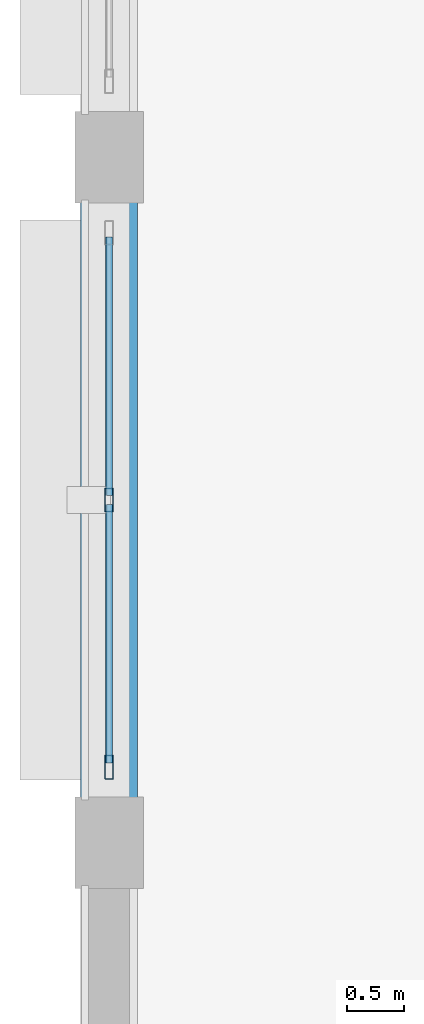
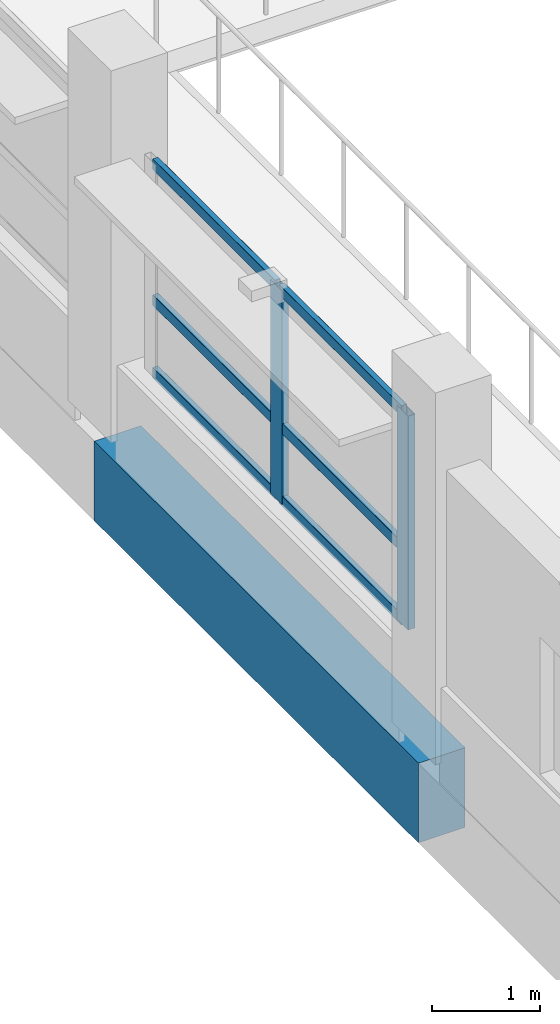
# One storey, part 19 of 128: 8 members, 1 beam, 1 element without a shape of its own.
"""IFC4 building model written with IfcOpenShell, lengths in metres."""

from ifc_helpers import new_model, si_unit, direction, frame, origin, origin_2d, place, context, subcontext, project, spatial, rectangle, hollow_rectangle, extrude, material, layer, layer_set, material_profile, profile_set, type_object, element, aggregate, save


model = new_model("IFC4")

# Units and contexts
model_context = context("Model", 3, precision=1e-05, world=origin(), true_north=direction((0.0, 1.0)))
body_context = subcontext(model_context, "Body", "Model", "MODEL_VIEW")
ifc_project = project(units=[si_unit("LENGTHUNIT", "METRE"), si_unit("AREAUNIT", "SQUARE_METRE"), si_unit("VOLUMEUNIT", "CUBIC_METRE"), si_unit("PLANEANGLEUNIT", "RADIAN"), si_unit("MASSUNIT", "GRAM", prefix="KILO")], contexts=[model_context])

# Site, building, storey
site_placement = place(None, origin())
site = spatial("IfcSite", under=ifc_project, at=site_placement, CompositionType="ELEMENT")
building_placement = place(site_placement, origin())
building = spatial("IfcBuilding", under=site, at=building_placement, Name="Vespera Passage Community Centre", CompositionType="ELEMENT")
storey_placement = place(building_placement, frame((0.0, 0.0, 4.5)))
storey = spatial("IfcBuildingStorey", under=building, at=storey_placement, Name="L01", CompositionType="ELEMENT", Elevation=4.5)

# Beam
ifc_material_1 = material(Name="Concrete f'c 45 MPa", Category="concrete")
ifc_material_profile_1 = material_profile(ifc_material_1, rectangle(XDim=0.5, YDim=0.89990234375, at=origin_2d()), Name="RC500X900")
ifc_profile_set_1 = profile_set([ifc_material_profile_1], Name="Concrete f'c 45 MPa")
beam_type = type_object("IfcBeamType", Name="BM-SP-500X900E", PredefinedType="SPANDREL", material=ifc_profile_set_1)
beam_placement = place(storey_placement, frame((4.050048828125, 31.0, -0.68994140625), z_axis=(0.0, 1.0, 0.0), x_axis=(-1.0, 0.0, 0.0)))
element("IfcBeam", 1, at=beam_placement, inside=storey, type_object=beam_type, Name="V1 L01 Spandrel W5", PredefinedType="SPANDREL", context=body_context, shape_type="SweptSolid", body=[
    extrude(rectangle(XDim=0.5, YDim=0.89990234375, at=origin_2d()), origin(), (0.0, 0.0, 1.0), 6.0),
])

# Curtain wall, members
ifc_material_2 = material(Name="Anodized aluminium 6063-T6", Category="aluminium")
ifc_layer = layer(ifc_material_2, 0.159912109375)
ifc_layer_set = layer_set([ifc_layer], Name="Anodized aluminium 6063-T6")
curtain_wall_type = type_object("IfcCurtainWallType", Name="CW-84E", PredefinedType="NOTDEFINED", material=ifc_layer_set)
curtain_wall_placement = place(storey_placement, origin())
curtain_wall = element("IfcCurtainWall", 2, at=curtain_wall_placement, inside=storey, type_object=curtain_wall_type, Name="Main Hall Acoustic Curtain Wall L01 W5", PredefinedType="NOTDEFINED")
ifc_material_3 = material(Name="Anodized aluminium 6063-T6", Category="aluminium")
ifc_material_profile_2 = material_profile(ifc_material_3, hollow_rectangle(XDim=0.074951171875, YDim=0.2099609375, WallThickness=0.0048828125, InnerFilletRadius=0.00244140625, OuterFilletRadius=0.0048828125, at=origin_2d()), Name="ALU210X75X5")
ifc_profile_set_2 = profile_set([ifc_material_profile_2], Name="Anodized aluminium 6063-T6")
member_type_1 = type_object("IfcMemberType", Name="MB-CWM-210E", PredefinedType="MULLION", material=ifc_profile_set_2)
member_1_placement = place(storey_placement, frame((4.050048828125, 31.66259765625, 0.85009765625), z_axis=(0.0, 0.0, 1.0), x_axis=(-1.0, 0.0, 0.0)))
member_1 = element("IfcMember", 3, at=member_1_placement, type_object=member_type_1, Name="CW-84E mullion 1", PredefinedType="MULLION", context=body_context, shape_type="SweptSolid", body=[
    extrude(hollow_rectangle(XDim=0.074951171875, YDim=0.2099609375, WallThickness=0.0048828125, InnerFilletRadius=0.00244140625, OuterFilletRadius=0.0048828125, at=origin_2d()), origin(), (0.0, 0.0, 1.0), 2.414794921875),
])
member_2_placement = place(storey_placement, frame((4.050048828125, 34.0, 0.85009765625), z_axis=(0.0, 0.0, 1.0), x_axis=(-1.0, 0.0, 0.0)))
member_2 = element("IfcMember", 4, at=member_2_placement, type_object=member_type_1, Name="CW-84E mullion 2", PredefinedType="MULLION", context=body_context, shape_type="SweptSolid", body=[
    extrude(hollow_rectangle(XDim=0.074951171875, YDim=0.2099609375, WallThickness=0.0048828125, InnerFilletRadius=0.00244140625, OuterFilletRadius=0.0048828125, at=origin_2d()), origin(), (0.0, 0.0, 1.0), 2.414794921875),
])
ifc_material_4 = material(Name="Anodized aluminium 6063-T6", Category="aluminium")
ifc_material_profile_3 = material_profile(ifc_material_4, hollow_rectangle(XDim=0.06005859375, YDim=0.1201171875, WallThickness=0.00390625, InnerFilletRadius=0.001953125, OuterFilletRadius=0.00390625, at=origin_2d()), Name="ALU120X60X4")
ifc_profile_set_3 = profile_set([ifc_material_profile_3], Name="Anodized aluminium 6063-T6")
member_type_2 = type_object("IfcMemberType", Name="MB-CWT-120E", PredefinedType="USERDEFINED", material=ifc_profile_set_3)
member_3_placement = place(storey_placement, frame((4.050048828125, 31.699951171875, 0.8798828125), z_axis=(0.0, 1.0, 0.0), x_axis=(-1.0, 0.0, 0.0)))
member_3 = element("IfcMember", 5, at=member_3_placement, type_object=member_type_2, Name="CW-84E transom 1.1", ObjectType="TRANSOM", PredefinedType="USERDEFINED", context=body_context, shape_type="SweptSolid", body=[
    extrude(hollow_rectangle(XDim=0.06005859375, YDim=0.1201171875, WallThickness=0.00390625, InnerFilletRadius=0.001953125, OuterFilletRadius=0.00390625, at=origin_2d()), origin(), (0.0, 0.0, 1.0), 2.262451171875),
])
member_4_placement = place(storey_placement, frame((4.050048828125, 31.699951171875, 1.699951171875), z_axis=(0.0, 1.0, 0.0), x_axis=(-1.0, 0.0, 0.0)))
member_4 = element("IfcMember", 6, at=member_4_placement, type_object=member_type_2, Name="CW-84E transom 1.2", ObjectType="TRANSOM", PredefinedType="USERDEFINED", context=body_context, shape_type="SweptSolid", body=[
    extrude(hollow_rectangle(XDim=0.06005859375, YDim=0.1201171875, WallThickness=0.00390625, InnerFilletRadius=0.001953125, OuterFilletRadius=0.00390625, at=origin_2d()), origin(), (0.0, 0.0, 1.0), 2.262451171875),
])
member_5_placement = place(storey_placement, frame((4.050048828125, 31.699951171875, 3.235107421875), z_axis=(0.0, 1.0, 0.0), x_axis=(-1.0, 0.0, 0.0)))
member_5 = element("IfcMember", 7, at=member_5_placement, type_object=member_type_2, Name="CW-84E transom 1.3", ObjectType="TRANSOM", PredefinedType="USERDEFINED", context=body_context, shape_type="SweptSolid", body=[
    extrude(hollow_rectangle(XDim=0.06005859375, YDim=0.1201171875, WallThickness=0.00390625, InnerFilletRadius=0.001953125, OuterFilletRadius=0.00390625, at=origin_2d()), origin(), (0.0, 0.0, 1.0), 2.262451171875),
])
member_6_placement = place(storey_placement, frame((4.050048828125, 34.03759765625, 0.8798828125), z_axis=(0.0, 1.0, 0.0), x_axis=(-1.0, 0.0, 0.0)))
member_6 = element("IfcMember", 8, at=member_6_placement, type_object=member_type_2, Name="CW-84E transom 2.1", ObjectType="TRANSOM", PredefinedType="USERDEFINED", context=body_context, shape_type="SweptSolid", body=[
    extrude(hollow_rectangle(XDim=0.06005859375, YDim=0.1201171875, WallThickness=0.00390625, InnerFilletRadius=0.001953125, OuterFilletRadius=0.00390625, at=origin_2d()), origin(), (0.0, 0.0, 1.0), 2.262451171875),
])
member_7_placement = place(storey_placement, frame((4.050048828125, 34.03759765625, 1.699951171875), z_axis=(0.0, 1.0, 0.0), x_axis=(-1.0, 0.0, 0.0)))
member_7 = element("IfcMember", 9, at=member_7_placement, type_object=member_type_2, Name="CW-84E transom 2.2", ObjectType="TRANSOM", PredefinedType="USERDEFINED", context=body_context, shape_type="SweptSolid", body=[
    extrude(hollow_rectangle(XDim=0.06005859375, YDim=0.1201171875, WallThickness=0.00390625, InnerFilletRadius=0.001953125, OuterFilletRadius=0.00390625, at=origin_2d()), origin(), (0.0, 0.0, 1.0), 2.262451171875),
])
member_8_placement = place(storey_placement, frame((4.050048828125, 34.03759765625, 3.235107421875), z_axis=(0.0, 1.0, 0.0), x_axis=(-1.0, 0.0, 0.0)))
member_8 = element("IfcMember", 10, at=member_8_placement, type_object=member_type_2, Name="CW-84E transom 2.3", ObjectType="TRANSOM", PredefinedType="USERDEFINED", context=body_context, shape_type="SweptSolid", body=[
    extrude(hollow_rectangle(XDim=0.06005859375, YDim=0.1201171875, WallThickness=0.00390625, InnerFilletRadius=0.001953125, OuterFilletRadius=0.00390625, at=origin_2d()), origin(), (0.0, 0.0, 1.0), 2.262451171875),
])
aggregate(curtain_wall, [member_1, member_2, member_3, member_4, member_5, member_6, member_7, member_8])

save(model, "model.ifc")
